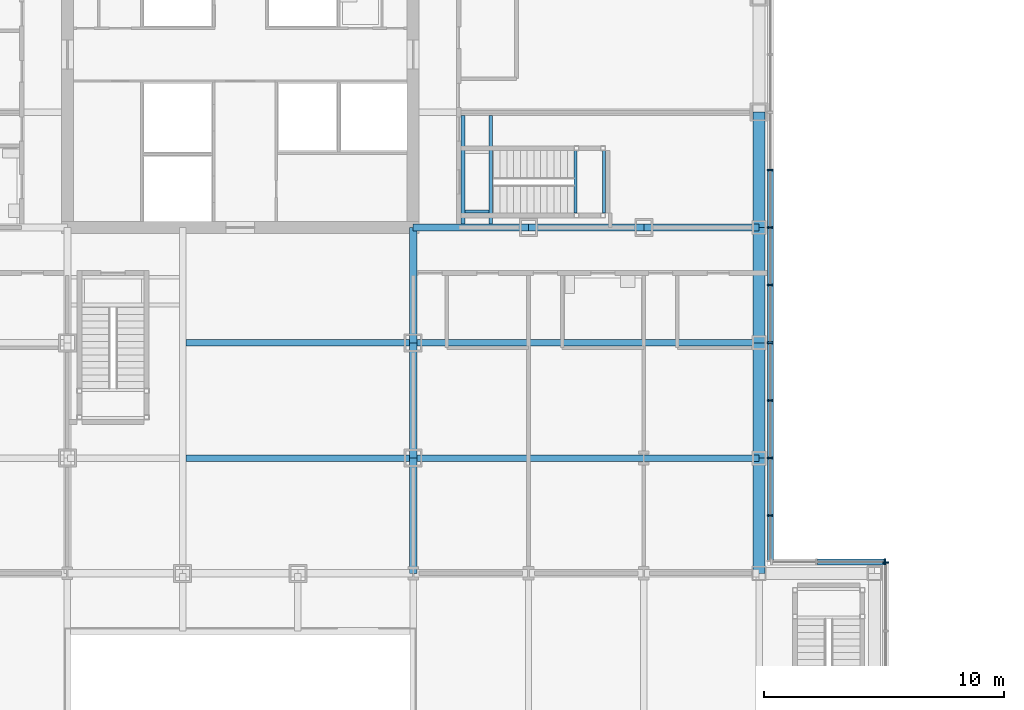
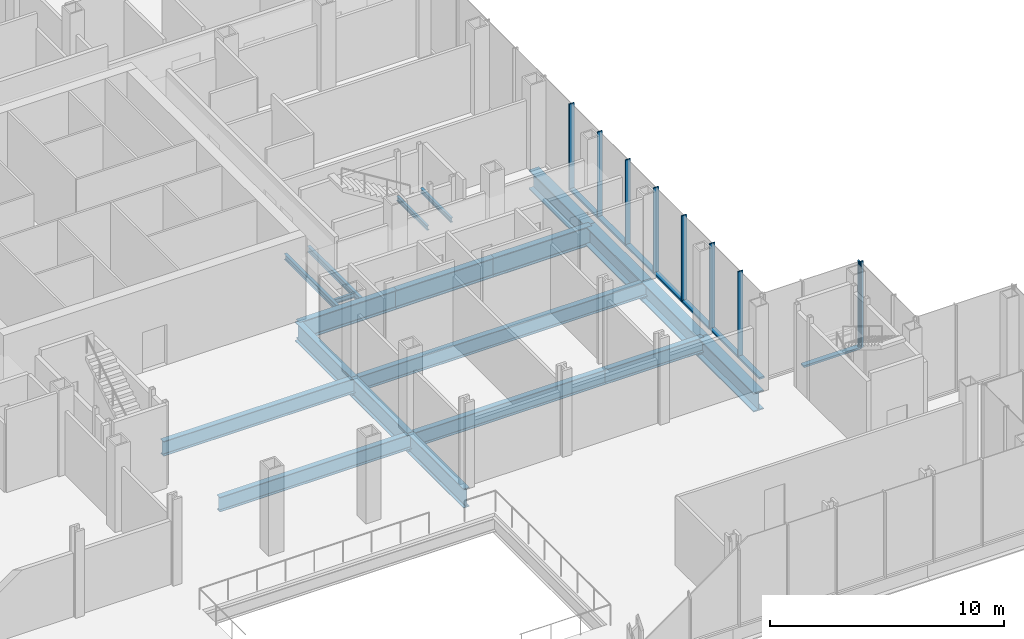
# One storey, part 14 of 25: 20 beams, 17 members, 3 elements without a shape of their own.
"""IFC4 building model written with IfcOpenShell, lengths in metres."""

from ifc_helpers import new_model, si_unit, direction, frame, origin, origin_2d, place, context, subcontext, project, spatial, rectangle, i_section, extrude, material, material_profile, profile_set, type_object, element, aggregate, save


model = new_model("IFC4")

# Units and contexts
model_context = context("Model", 3, precision=1e-05, world=origin(), true_north=direction((0.0, 1.0)))
body_context = subcontext(model_context, "Body", "Model", "MODEL_VIEW")
ifc_project = project(units=[si_unit("LENGTHUNIT", "METRE"), si_unit("AREAUNIT", "SQUARE_METRE"), si_unit("VOLUMEUNIT", "CUBIC_METRE"), si_unit("PLANEANGLEUNIT", "RADIAN"), si_unit("MASSUNIT", "GRAM", prefix="KILO")], contexts=[model_context])

# Site, building, storey
site_placement = place(None, origin())
site = spatial("IfcSite", under=ifc_project, at=site_placement, CompositionType="ELEMENT")
building_placement = place(site_placement, origin())
building = spatial("IfcBuilding", under=site, at=building_placement, Name="Kvirike Care Tower", CompositionType="ELEMENT")
storey_placement = place(building_placement, frame((0.0, 0.0, 9.0)))
storey = spatial("IfcBuildingStorey", under=building, at=storey_placement, Name="L02", CompositionType="ELEMENT", Elevation=9.0)

# Curtain wall, member
ifc_material_1 = material(Name="Anodised aluminium stick system", Category="aluminium")
curtain_wall_type = type_object("IfcCurtainWallType", Name="CW-P PODIUM STICK CURTAIN WALL", PredefinedType="NOTDEFINED", material=ifc_material_1)
curtain_wall_1_placement = place(storey_placement, origin())
curtain_wall_1 = element("IfcCurtainWall", 1, at=curtain_wall_1_placement, inside=storey, type_object=curtain_wall_type, Name="Curtain wall L02 face 6", PredefinedType="NOTDEFINED")
ifc_material_2 = material(Name="Bronze anodised aluminium mullion", Category="aluminium")
ifc_material_profile_1 = material_profile(ifc_material_2, rectangle(XDim=0.06494140625, YDim=0.25, at=origin_2d()), Name="CW-P MULLION 65x250")
ifc_profile_set_1 = profile_set([ifc_material_profile_1], Name="Bronze anodised aluminium mullion")
member_type_1 = type_object("IfcMemberType", Name="CW-P MULLION 65x250", PredefinedType="MULLION", material=ifc_profile_set_1)
member_1_placement = place(storey_placement, frame((48.47509765625, 14.842529296875, 0.0), z_axis=(0.0, 0.0, 1.0), x_axis=(0.0, 1.0, 0.0)))
member_1 = element("IfcMember", 2, at=member_1_placement, type_object=member_type_1, Name="CW-P mullion L02 face 6.3", PredefinedType="MULLION", context=body_context, shape_type="SweptSolid", body=[
    extrude(rectangle(XDim=0.06494140625, YDim=0.25, at=origin_2d()), origin(), (0.0, 0.0, 1.0), 4.5),
])
aggregate(curtain_wall_1, [member_1])

curtain_wall_2_placement = place(storey_placement, origin())
curtain_wall_2 = element("IfcCurtainWall", 3, at=curtain_wall_2_placement, inside=storey, type_object=curtain_wall_type, Name="Curtain wall L02 face 7", PredefinedType="NOTDEFINED")
member_2_placement = place(storey_placement, frame((48.4423828125, 14.875, 0.0), z_axis=(0.0, 0.0, 1.0), x_axis=(-1.0, 0.0, 0.0)))
member_2 = element("IfcMember", 4, at=member_2_placement, type_object=member_type_1, Name="CW-P mullion L02 face 7.1", PredefinedType="MULLION", context=body_context, shape_type="SweptSolid", body=[
    extrude(rectangle(XDim=0.06494140625, YDim=0.25, at=origin_2d()), origin(), (0.0, 0.0, 1.0), 4.5),
])

# Curtain wall, members
curtain_wall_3_placement = place(storey_placement, origin())
curtain_wall_3 = element("IfcCurtainWall", 5, at=curtain_wall_3_placement, inside=storey, type_object=curtain_wall_type, Name="Curtain wall L02 face 8", PredefinedType="NOTDEFINED")
member_3_placement = place(storey_placement, frame((43.675048828125, 16.800048828125, 0.0), z_axis=(0.0, 0.0, 1.0), x_axis=(0.0, 1.0, 0.0)))
member_3 = element("IfcMember", 6, at=member_3_placement, type_object=member_type_1, Name="CW-P mullion L02 face 8.2", PredefinedType="MULLION", context=body_context, shape_type="SweptSolid", body=[
    extrude(rectangle(XDim=0.06494140625, YDim=0.25, at=origin_2d()), origin(), (0.0, 0.0, 1.0), 4.5),
])
member_4_placement = place(storey_placement, frame((43.675048828125, 19.199951171875, 0.0), z_axis=(0.0, 0.0, 1.0), x_axis=(0.0, 1.0, 0.0)))
member_4 = element("IfcMember", 7, at=member_4_placement, type_object=member_type_1, Name="CW-P mullion L02 face 8.3", PredefinedType="MULLION", context=body_context, shape_type="SweptSolid", body=[
    extrude(rectangle(XDim=0.06494140625, YDim=0.25, at=origin_2d()), origin(), (0.0, 0.0, 1.0), 4.5),
])
member_5_placement = place(storey_placement, frame((43.675048828125, 21.60009765625, 0.0), z_axis=(0.0, 0.0, 1.0), x_axis=(0.0, 1.0, 0.0)))
member_5 = element("IfcMember", 8, at=member_5_placement, type_object=member_type_1, Name="CW-P mullion L02 face 8.4", PredefinedType="MULLION", context=body_context, shape_type="SweptSolid", body=[
    extrude(rectangle(XDim=0.06494140625, YDim=0.25, at=origin_2d()), origin(), (0.0, 0.0, 1.0), 4.5),
])
member_6_placement = place(storey_placement, frame((43.675048828125, 24.0, 0.0), z_axis=(0.0, 0.0, 1.0), x_axis=(0.0, 1.0, 0.0)))
member_6 = element("IfcMember", 9, at=member_6_placement, type_object=member_type_1, Name="CW-P mullion L02 face 8.5", PredefinedType="MULLION", context=body_context, shape_type="SweptSolid", body=[
    extrude(rectangle(XDim=0.06494140625, YDim=0.25, at=origin_2d()), origin(), (0.0, 0.0, 1.0), 4.5),
])
member_7_placement = place(storey_placement, frame((43.675048828125, 26.39990234375, 0.0), z_axis=(0.0, 0.0, 1.0), x_axis=(0.0, 1.0, 0.0)))
member_7 = element("IfcMember", 10, at=member_7_placement, type_object=member_type_1, Name="CW-P mullion L02 face 8.6", PredefinedType="MULLION", context=body_context, shape_type="SweptSolid", body=[
    extrude(rectangle(XDim=0.06494140625, YDim=0.25, at=origin_2d()), origin(), (0.0, 0.0, 1.0), 4.5),
])
member_8_placement = place(storey_placement, frame((43.675048828125, 28.800048828125, 0.0), z_axis=(0.0, 0.0, 1.0), x_axis=(0.0, 1.0, 0.0)))
member_8 = element("IfcMember", 11, at=member_8_placement, type_object=member_type_1, Name="CW-P mullion L02 face 8.7", PredefinedType="MULLION", context=body_context, shape_type="SweptSolid", body=[
    extrude(rectangle(XDim=0.06494140625, YDim=0.25, at=origin_2d()), origin(), (0.0, 0.0, 1.0), 4.5),
])
member_9_placement = place(storey_placement, frame((43.675048828125, 31.199951171875, 0.0), z_axis=(0.0, 0.0, 1.0), x_axis=(0.0, 1.0, 0.0)))
member_9 = element("IfcMember", 12, at=member_9_placement, type_object=member_type_1, Name="CW-P mullion L02 face 8.8", PredefinedType="MULLION", context=body_context, shape_type="SweptSolid", body=[
    extrude(rectangle(XDim=0.06494140625, YDim=0.25, at=origin_2d()), origin(), (0.0, 0.0, 1.0), 4.5),
])

# Member
ifc_material_3 = material(Name="Bronze anodised aluminium transom", Category="aluminium")
ifc_material_profile_2 = material_profile(ifc_material_3, rectangle(XDim=0.25, YDim=0.10009765625, at=origin_2d()), Name="CW-P TRANSOM 250x100")
ifc_profile_set_2 = profile_set([ifc_material_profile_2], Name="Bronze anodised aluminium transom")
member_type_2 = type_object("IfcMemberType", Name="CW-P TRANSOM 250x100", PredefinedType="USERDEFINED", material=ifc_profile_set_2)
member_10_placement = place(storey_placement, frame((48.409912109375, 14.875, 0.050048828125), z_axis=(-1.0, 0.0, 0.0), x_axis=(0.0, -1.0, 0.0)))
member_10 = element("IfcMember", 13, at=member_10_placement, type_object=member_type_2, Name="CW-P sill transom L02 face 7.1", ObjectType="TRANSOM", PredefinedType="USERDEFINED", context=body_context, shape_type="SweptSolid", body=[
    extrude(rectangle(XDim=0.25, YDim=0.10009765625, at=origin_2d()), origin(), (0.0, 0.0, 1.0), 2.77734375),
])

aggregate(curtain_wall_2, [member_2, member_10])

member_11_placement = place(storey_placement, frame((43.675048828125, 14.93994140625, 0.050048828125), z_axis=(0.0, 1.0, 0.0), x_axis=(-1.0, 0.0, 0.0)))
member_11 = element("IfcMember", 14, at=member_11_placement, type_object=member_type_2, Name="CW-P sill transom L02 face 8.1", ObjectType="TRANSOM", PredefinedType="USERDEFINED", context=body_context, shape_type="SweptSolid", body=[
    extrude(rectangle(XDim=0.25, YDim=0.10009765625, at=origin_2d()), origin(), (0.0, 0.0, 1.0), 1.82763671875),
])

member_12_placement = place(storey_placement, frame((43.675048828125, 16.83251953125, 0.050048828125), z_axis=(0.0, 1.0, 0.0), x_axis=(-1.0, 0.0, 0.0)))
member_12 = element("IfcMember", 15, at=member_12_placement, type_object=member_type_2, Name="CW-P sill transom L02 face 8.2", ObjectType="TRANSOM", PredefinedType="USERDEFINED", context=body_context, shape_type="SweptSolid", body=[
    extrude(rectangle(XDim=0.25, YDim=0.10009765625, at=origin_2d()), origin(), (0.0, 0.0, 1.0), 2.3349609375),
])

member_13_placement = place(storey_placement, frame((43.675048828125, 19.232421875, 0.050048828125), z_axis=(0.0, 1.0, 0.0), x_axis=(-1.0, 0.0, 0.0)))
member_13 = element("IfcMember", 16, at=member_13_placement, type_object=member_type_2, Name="CW-P sill transom L02 face 8.3", ObjectType="TRANSOM", PredefinedType="USERDEFINED", context=body_context, shape_type="SweptSolid", body=[
    extrude(rectangle(XDim=0.25, YDim=0.10009765625, at=origin_2d()), origin(), (0.0, 0.0, 1.0), 2.3349609375),
])

member_14_placement = place(storey_placement, frame((43.675048828125, 21.632568359375, 0.050048828125), z_axis=(0.0, 1.0, 0.0), x_axis=(-1.0, 0.0, 0.0)))
member_14 = element("IfcMember", 17, at=member_14_placement, type_object=member_type_2, Name="CW-P sill transom L02 face 8.4", ObjectType="TRANSOM", PredefinedType="USERDEFINED", context=body_context, shape_type="SweptSolid", body=[
    extrude(rectangle(XDim=0.25, YDim=0.10009765625, at=origin_2d()), origin(), (0.0, 0.0, 1.0), 2.3349609375),
])

member_15_placement = place(storey_placement, frame((43.675048828125, 24.032470703125, 0.050048828125), z_axis=(0.0, 1.0, 0.0), x_axis=(-1.0, 0.0, 0.0)))
member_15 = element("IfcMember", 18, at=member_15_placement, type_object=member_type_2, Name="CW-P sill transom L02 face 8.5", ObjectType="TRANSOM", PredefinedType="USERDEFINED", context=body_context, shape_type="SweptSolid", body=[
    extrude(rectangle(XDim=0.25, YDim=0.10009765625, at=origin_2d()), origin(), (0.0, 0.0, 1.0), 2.3349609375),
])

member_16_placement = place(storey_placement, frame((43.675048828125, 26.4326171875, 0.050048828125), z_axis=(0.0, 1.0, 0.0), x_axis=(-1.0, 0.0, 0.0)))
member_16 = element("IfcMember", 19, at=member_16_placement, type_object=member_type_2, Name="CW-P sill transom L02 face 8.6", ObjectType="TRANSOM", PredefinedType="USERDEFINED", context=body_context, shape_type="SweptSolid", body=[
    extrude(rectangle(XDim=0.25, YDim=0.10009765625, at=origin_2d()), origin(), (0.0, 0.0, 1.0), 2.3349609375),
])

member_17_placement = place(storey_placement, frame((43.675048828125, 28.83251953125, 0.050048828125), z_axis=(0.0, 1.0, 0.0), x_axis=(-1.0, 0.0, 0.0)))
member_17 = element("IfcMember", 20, at=member_17_placement, type_object=member_type_2, Name="CW-P sill transom L02 face 8.7", ObjectType="TRANSOM", PredefinedType="USERDEFINED", context=body_context, shape_type="SweptSolid", body=[
    extrude(rectangle(XDim=0.25, YDim=0.10009765625, at=origin_2d()), origin(), (0.0, 0.0, 1.0), 2.3349609375),
])

aggregate(curtain_wall_3, [member_3, member_4, member_5, member_6, member_7, member_8, member_9, member_11, member_12, member_13, member_14, member_15, member_16, member_17])

# Beams
ifc_material_4 = material(Name="Steel S355", Category="steel")
ifc_material_profile_3 = material_profile(ifc_material_4, i_section(OverallWidth=0.26806640625, OverallDepth=0.77001953125, WebThickness=0.015625, FlangeThickness=0.025390625, FilletRadius=0.01708984375, at=origin_2d()), Name="IPE 750x196")
ifc_profile_set_3 = profile_set([ifc_material_profile_3], Name="Steel S355")
beam_type_1 = type_object("IfcBeamType", Name="FLOOR BEAM IPE 750x196", PredefinedType="BEAM", material=ifc_profile_set_3)
beam_1_placement = place(storey_placement, frame((19.333984375, 19.199951171875, -0.554931640625), z_axis=(1.0, 0.0, 0.0), x_axis=(0.0, 1.0, 0.0)))
element("IfcBeam", 21, at=beam_1_placement, inside=storey, type_object=beam_type_1, Name="Floor Beam E7-E9 L02", PredefinedType="BEAM", context=body_context, shape_type="SweptSolid", body=[
    extrude(i_section(OverallWidth=0.26806640625, OverallDepth=0.77001953125, WebThickness=0.015625, FlangeThickness=0.025390625, FilletRadius=0.01708984375, at=origin_2d()), origin(), (0.0, 0.0, 1.0), 9.466064453125),
])
beam_2_placement = place(storey_placement, frame((28.800048828125, 19.199951171875, -0.554931640625), z_axis=(1.0, 0.0, 0.0), x_axis=(0.0, 1.0, 0.0)))
element("IfcBeam", 22, at=beam_2_placement, inside=storey, type_object=beam_type_1, Name="Floor Beam E9-E11 L02", PredefinedType="BEAM", context=body_context, shape_type="SweptSolid", body=[
    extrude(i_section(OverallWidth=0.26806640625, OverallDepth=0.77001953125, WebThickness=0.015625, FlangeThickness=0.025390625, FilletRadius=0.01708984375, at=origin_2d()), origin(), (0.0, 0.0, 1.0), 9.599853515625),
])
beam_3_placement = place(storey_placement, frame((38.39990234375, 19.199951171875, -0.554931640625), z_axis=(1.0, 0.0, 0.0), x_axis=(0.0, 1.0, 0.0)))
element("IfcBeam", 23, at=beam_3_placement, inside=storey, type_object=beam_type_1, Name="Floor Beam E11-E12 L02", PredefinedType="BEAM", context=body_context, shape_type="SweptSolid", body=[
    extrude(i_section(OverallWidth=0.26806640625, OverallDepth=0.77001953125, WebThickness=0.015625, FlangeThickness=0.025390625, FilletRadius=0.01708984375, at=origin_2d()), origin(), (0.0, 0.0, 1.0), 4.800048828125),
])
beam_4_placement = place(storey_placement, frame((19.333984375, 24.0, -0.554931640625), z_axis=(1.0, 0.0, 0.0), x_axis=(0.0, 1.0, 0.0)))
element("IfcBeam", 24, at=beam_4_placement, inside=storey, type_object=beam_type_1, Name="Floor Beam F7-F9 L02", PredefinedType="BEAM", context=body_context, shape_type="SweptSolid", body=[
    extrude(i_section(OverallWidth=0.26806640625, OverallDepth=0.77001953125, WebThickness=0.015625, FlangeThickness=0.025390625, FilletRadius=0.01708984375, at=origin_2d()), origin(), (0.0, 0.0, 1.0), 9.466064453125),
])
beam_5_placement = place(storey_placement, frame((28.800048828125, 24.0, -0.554931640625), z_axis=(1.0, 0.0, 0.0), x_axis=(0.0, 1.0, 0.0)))
element("IfcBeam", 25, at=beam_5_placement, inside=storey, type_object=beam_type_1, Name="Floor Beam F9-F12 L02", PredefinedType="BEAM", context=body_context, shape_type="SweptSolid", body=[
    extrude(i_section(OverallWidth=0.26806640625, OverallDepth=0.77001953125, WebThickness=0.015625, FlangeThickness=0.025390625, FilletRadius=0.01708984375, at=origin_2d()), origin(), (0.0, 0.0, 1.0), 14.39990234375),
])
ifc_material_5 = material(Name="Steel S355", Category="steel")
ifc_material_profile_4 = material_profile(ifc_material_5, i_section(OverallWidth=0.300048828125, OverallDepth=1.0, WebThickness=0.01904296875, FlangeThickness=0.035888671875, FilletRadius=0.030029296875, at=origin_2d()), Name="HE 1000 B")
ifc_profile_set_4 = profile_set([ifc_material_profile_4], Name="Steel S355")
beam_type_2 = type_object("IfcBeamType", Name="FRAME BEAM HE 1000 B", PredefinedType="BEAM", material=ifc_profile_set_4)
beam_6_placement = place(storey_placement, frame((28.800048828125, 28.800048828125, -0.669921875), z_axis=(1.0, 0.0, 0.0), x_axis=(0.0, 1.0, 0.0)))
element("IfcBeam", 26, at=beam_6_placement, inside=storey, type_object=beam_type_2, Name="Frame Beam G9-G10 L02", PredefinedType="BEAM", context=body_context, shape_type="SweptSolid", body=[
    extrude(i_section(OverallWidth=0.300048828125, OverallDepth=1.0, WebThickness=0.01904296875, FlangeThickness=0.035888671875, FilletRadius=0.030029296875, at=origin_2d()), origin(), (0.0, 0.0, 1.0), 4.800048828125),
])
beam_7_placement = place(storey_placement, frame((33.60009765625, 28.800048828125, -0.669921875), z_axis=(1.0, 0.0, 0.0), x_axis=(0.0, 1.0, 0.0)))
element("IfcBeam", 27, at=beam_7_placement, inside=storey, type_object=beam_type_2, Name="Frame Beam G10-G11 L02", PredefinedType="BEAM", context=body_context, shape_type="SweptSolid", body=[
    extrude(i_section(OverallWidth=0.300048828125, OverallDepth=1.0, WebThickness=0.01904296875, FlangeThickness=0.035888671875, FilletRadius=0.030029296875, at=origin_2d()), origin(), (0.0, 0.0, 1.0), 4.7998046875),
])
for number, where, z_axis, x_axis, name in (
    (28, (38.39990234375, 28.800048828125, -0.669921875), (1.0, 0.0, 0.0), (0.0, 1.0, 0.0), "Frame Beam G11-G12 L02"),
    (29, (28.800048828125, 14.39990234375, -0.669921875), (0.0, 1.0, 0.0), (-1.0, 0.0, 0.0), "Frame Beam D9-E9 L02"),
    (30, (28.800048828125, 19.199951171875, -0.669921875), (0.0, 1.0, 0.0), (-1.0, 0.0, 0.0), "Frame Beam E9-F9 L02"),
    (31, (28.800048828125, 24.0, -0.669921875), (0.0, 1.0, 0.0), (-1.0, 0.0, 0.0), "Frame Beam F9-G9 L02"),
):
    element("IfcBeam", number, at=place(storey_placement, frame(where, z_axis=z_axis, x_axis=x_axis)), inside=storey, type_object=beam_type_2, Name=name, PredefinedType="BEAM", context=body_context, shape_type="SweptSolid", body=[
        extrude(i_section(OverallWidth=0.300048828125, OverallDepth=1.0, WebThickness=0.01904296875, FlangeThickness=0.035888671875, FilletRadius=0.030029296875, at=origin_2d()), origin(), (0.0, 0.0, 1.0), 4.800048828125),
    ])
ifc_material_6 = material(Name="Steel S355", Category="steel")
ifc_material_profile_5 = material_profile(ifc_material_6, i_section(OverallWidth=0.5, OverallDepth=1.0, WebThickness=0.030029296875, FlangeThickness=0.06005859375, at=origin_2d()), Name="PG 1000x500x30x60")
ifc_profile_set_5 = profile_set([ifc_material_profile_5], Name="Steel S355")
beam_type_3 = type_object("IfcBeamType", Name="SPANDREL PG 1000x500x30x60", PredefinedType="SPANDREL", material=ifc_profile_set_5)
for number, where, z_axis, x_axis, name in (
    (32, (43.199951171875, 14.39990234375, -0.669921875), (0.0, 1.0, 0.0), (-1.0, 0.0, 0.0), "Spandrel D12-E12 L02"),
    (33, (43.199951171875, 19.199951171875, -0.669921875), (0.0, 1.0, 0.0), (-1.0, 0.0, 0.0), "Spandrel E12-F12 L02"),
    (34, (43.199951171875, 24.0, -0.669921875), (0.0, 1.0, 0.0), (-1.0, 0.0, 0.0), "Spandrel F12-G12 L02"),
    (35, (43.199951171875, 28.800048828125, -0.669921875), (0.0, 1.0, 0.0), (-1.0, 0.0, 0.0), "Spandrel G12-H12 L02"),
):
    element("IfcBeam", number, at=place(storey_placement, frame(where, z_axis=z_axis, x_axis=x_axis)), inside=storey, type_object=beam_type_3, Name=name, PredefinedType="SPANDREL", context=body_context, shape_type="SweptSolid", body=[
        extrude(i_section(OverallWidth=0.5, OverallDepth=1.0, WebThickness=0.030029296875, FlangeThickness=0.06005859375, at=origin_2d()), origin(), (0.0, 0.0, 1.0), 4.800048828125),
    ])
ifc_material_7 = material(Name="Steel S355", Category="steel")
ifc_material_profile_6 = material_profile(ifc_material_7, i_section(OverallWidth=0.1201171875, OverallDepth=0.239990234375, WebThickness=0.006103515625, FlangeThickness=0.009765625, FilletRadius=0.014892578125, at=origin_2d()), Name="IPE 240")
ifc_profile_set_6 = profile_set([ifc_material_profile_6], Name="Steel S355")
beam_type_4 = type_object("IfcBeamType", Name="STAIR LANDING BEAM IPE 240", PredefinedType="BEAM", material=ifc_profile_set_6)
for number, where, z_axis, x_axis, name in (
    (36, (36.739990234375, 29.39990234375, 1.929931640625), (0.0, 1.0, 0.0), (-1.0, 0.0, 0.0), "Stair 2 landing beam back L02"),
    (37, (35.56005859375, 29.39990234375, 1.929931640625), (0.0, 1.0, 0.0), (-1.0, 0.0, 0.0), "Stair 2 landing beam front L02"),
):
    element("IfcBeam", number, at=place(storey_placement, frame(where, z_axis=z_axis, x_axis=x_axis)), inside=storey, type_object=beam_type_4, Name=name, PredefinedType="BEAM", context=body_context, shape_type="SweptSolid", body=[
        extrude(i_section(OverallWidth=0.1201171875, OverallDepth=0.239990234375, WebThickness=0.006103515625, FlangeThickness=0.009765625, FilletRadius=0.014892578125, at=origin_2d()), origin(), (0.0, 0.0, 1.0), 2.60009765625),
    ])
beam_8_placement = place(storey_placement, frame((31.949951171875, 29.4599609375, -0.320068359375), z_axis=(-1.0, 0.0, 0.0), x_axis=(0.0, -1.0, 0.0)))
element("IfcBeam", 38, at=beam_8_placement, inside=storey, type_object=beam_type_4, Name="Stair 2 landing edge beam 1 L02", PredefinedType="BEAM", context=body_context, shape_type="SweptSolid", body=[
    extrude(i_section(OverallWidth=0.1201171875, OverallDepth=0.239990234375, WebThickness=0.006103515625, FlangeThickness=0.009765625, FilletRadius=0.014892578125, at=origin_2d()), origin(), (0.0, 0.0, 1.0), 1.0),
])
ifc_material_8 = material(Name="Steel S355", Category="steel")
ifc_material_profile_7 = material_profile(ifc_material_8, i_section(OverallWidth=0.14990234375, OverallDepth=0.300048828125, WebThickness=0.007080078125, FlangeThickness=0.0107421875, FilletRadius=0.014892578125, at=origin_2d()), Name="IPE 300")
ifc_profile_set_7 = profile_set([ifc_material_profile_7], Name="Steel S355")
beam_type_5 = type_object("IfcBeamType", Name="STAIR TRIMMER IPE 300", PredefinedType="BEAM", material=ifc_profile_set_7)
for number, where, z_axis, x_axis, name in (
    (39, (32.02490234375, 28.949951171875, -0.35009765625), (0.0, 1.0, 0.0), (-1.0, 0.0, 0.0), "Stair 2 trimmer 1 L02"),
    (40, (30.875, 28.949951171875, -0.35009765625), (0.0, 1.0, 0.0), (-1.0, 0.0, 0.0), "Stair 2 trimmer 2 L02"),
):
    element("IfcBeam", number, at=place(storey_placement, frame(where, z_axis=z_axis, x_axis=x_axis)), inside=storey, type_object=beam_type_5, Name=name, PredefinedType="BEAM", context=body_context, shape_type="SweptSolid", body=[
        extrude(i_section(OverallWidth=0.14990234375, OverallDepth=0.300048828125, WebThickness=0.007080078125, FlangeThickness=0.0107421875, FilletRadius=0.014892578125, at=origin_2d()), origin(), (0.0, 0.0, 1.0), 4.51611328125),
    ])

save(model, "model.ifc")
